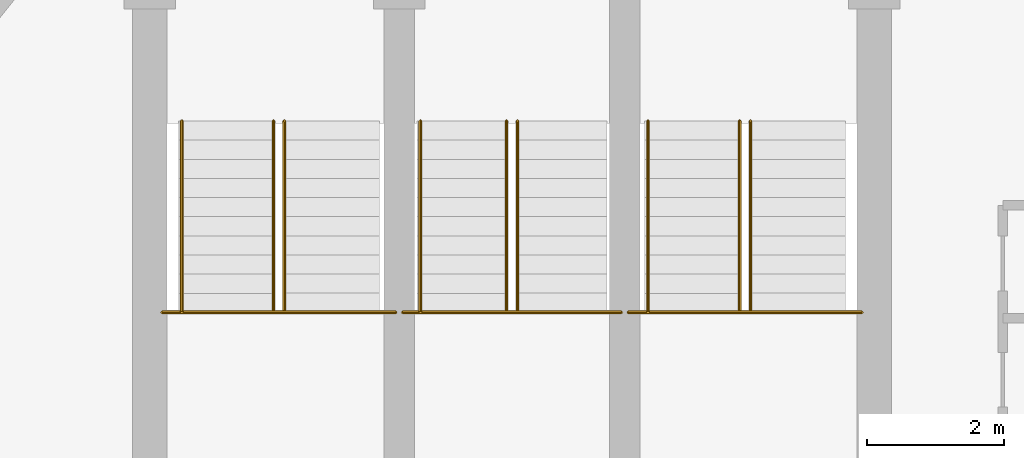
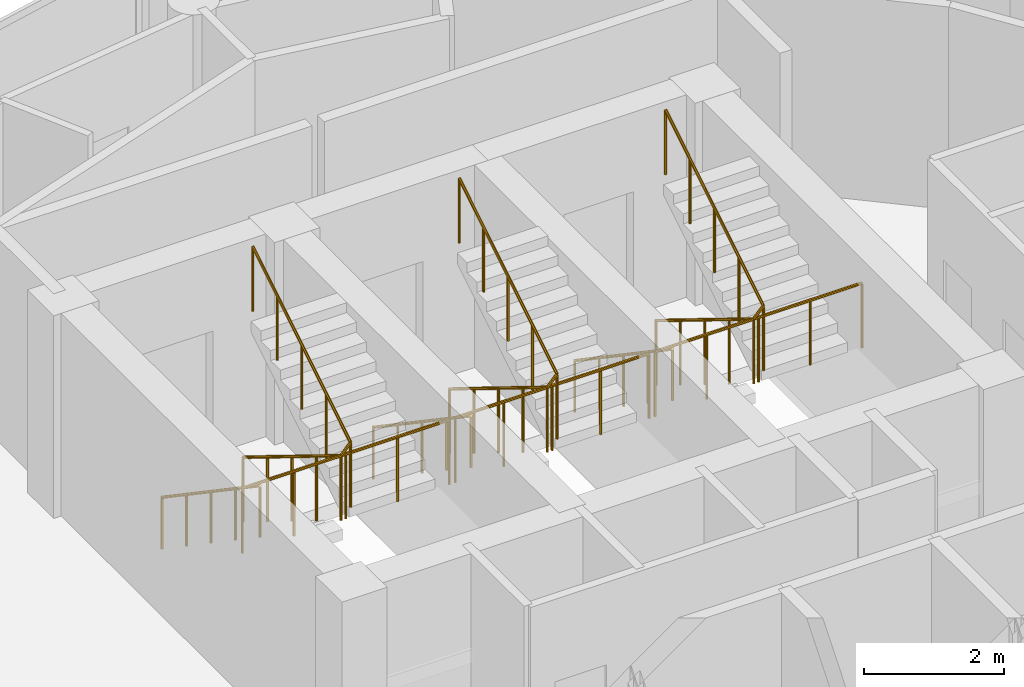
# One storey, part 24 of 24: 9 railings.
"""IFC4 building model written with IfcOpenShell, lengths in metres."""

import ifcopenshell
import ifcopenshell.guid

model = None  # the IFC model being written
_history = None  # IfcOwnerHistory: only IFC2X3 demands one
_inside = {}  # id of a spatial element -> (the spatial element, [elements in it])
_under = {}  # id of a project, library or spatial element -> (it, [spatial elements below it])
_declared = {}  # id of a project -> (the project, [libraries it declares])
_typed = {}  # id of a type object -> (the type object, [elements of that type])
_made_of = {}  # id of a material, layer set ... -> (it, [elements and type objects made of it])


def new_model(schema):
    """Start an empty IFC model of exactly this schema.

    Asked for "IFC4X3", IfcOpenShell would pick the latest addendum, in which some entities
    have other attributes; the version numbers below select the first issue.
    IFC2X3 requires an IfcOwnerHistory on every rooted entity: one is made here for all.
    """
    global model, _history
    if schema == "IFC4X3":
        model = ifcopenshell.file(schema_version=(4, 3, 0, 0))
    else:
        model = ifcopenshell.file(schema=schema)
    _inside.clear()
    _under.clear()
    _declared.clear()
    _typed.clear()
    _made_of.clear()
    _history = None
    if model.schema == "IFC2X3":
        org = make("IfcOrganization", Name="unknown")
        user = make(
            "IfcPersonAndOrganization",
            ThePerson=make("IfcPerson", FamilyName="unknown"),
            TheOrganization=org,
        )
        app = make(
            "IfcApplication",
            ApplicationDeveloper=org,
            Version="unknown",
            ApplicationFullName="unknown",
            ApplicationIdentifier="unknown",
        )
        _history = make(
            "IfcOwnerHistory",
            OwningUser=user,
            OwningApplication=app,
            ChangeAction="ADDED",
            CreationDate=0,
        )
    return model


def make(cls, **values):
    """One entity of the class cls with the attributes given. An attribute that is None is left unset."""
    return model.create_entity(
        cls, **{name: value for name, value in values.items() if value is not None}
    )


def rooted(cls, **values):
    """An entity with a GlobalId (a new one), such as an element, a storey or a relation."""
    return make(cls, GlobalId=ifcopenshell.guid.new(), OwnerHistory=_history, **values)


def si_unit(unit_type, name, prefix=None):
    """IfcSIUnit, for example si_unit("LENGTHUNIT", "METRE", prefix="MILLI")."""
    return make("IfcSIUnit", UnitType=unit_type, Prefix=prefix, Name=name)


def assignment(units):
    """IfcUnitAssignment: the units of a project."""
    return None if units is None else make("IfcUnitAssignment", Units=units)


def point(xyz):
    """IfcCartesianPoint."""
    return None if xyz is None else make("IfcCartesianPoint", Coordinates=xyz)


def direction(xyz):
    """IfcDirection."""
    return None if xyz is None else make("IfcDirection", DirectionRatios=xyz)


def frame(location, z_axis=None, x_axis=None):
    """IfcAxis2Placement3D, a coordinate frame: its origin and axes. An axis left out is left unset."""
    return make(
        "IfcAxis2Placement3D",
        Location=point(location),
        Axis=direction(z_axis),
        RefDirection=direction(x_axis),
    )


def origin():
    """The frame at (0, 0, 0) with its axes left unset."""
    return frame((0.0, 0.0, 0.0))


def place(relative_to, where):
    """IfcLocalPlacement: puts the frame where relative to a parent placement (None: the world)."""
    return make(
        "IfcLocalPlacement", PlacementRelTo=relative_to, RelativePlacement=where
    )


def context(
    kind, dimensions, precision=None, world=None, true_north=None, identifier=None
):
    """IfcGeometricRepresentationContext, for example the 3D "Model" context."""
    return make(
        "IfcGeometricRepresentationContext",
        ContextIdentifier=identifier,
        ContextType=kind,
        CoordinateSpaceDimension=dimensions,
        Precision=precision,
        WorldCoordinateSystem=world,
        TrueNorth=true_north,
    )


def subcontext(parent, identifier, kind, view, scale=None):
    """IfcGeometricRepresentationSubContext, for example "Body" below "Model"."""
    return make(
        "IfcGeometricRepresentationSubContext",
        ContextIdentifier=identifier,
        ContextType=kind,
        ParentContext=parent,
        TargetScale=scale,
        TargetView=view,
    )


def project(units=None, contexts=None):
    """IfcProject with its units and contexts."""
    return rooted(
        "IfcProject",
        Name="project",
        RepresentationContexts=contexts,
        UnitsInContext=assignment(units),
    )


def spatial(cls, under=None, at=None, **own):
    """A site, building, storey or space (cls), placed at a placement, below another one or the project."""
    s = rooted(cls, ObjectPlacement=at, **own)
    if under is not None:
        _under.setdefault(under.id(), (under, []))[1].append(s)
    return s


def polyline(points):
    """IfcPolyline through the points."""
    return make("IfcPolyline", Points=[point(p) for p in points])


def outline(outer, holes=None, kind="AREA"):
    """IfcArbitraryClosedProfileDef: a profile drawn as a closed curve; with holes, ...WithVoids."""
    if holes is None:
        return make("IfcArbitraryClosedProfileDef", ProfileType=kind, OuterCurve=outer)
    return make(
        "IfcArbitraryProfileDefWithVoids",
        ProfileType=kind,
        OuterCurve=outer,
        InnerCurves=holes,
    )


def extrude(swept, where, along, depth):
    """IfcExtrudedAreaSolid: the profile swept, set in the frame where, extruded along a direction by depth."""
    return make(
        "IfcExtrudedAreaSolid",
        SweptArea=swept,
        Position=where,
        ExtrudedDirection=direction(along),
        Depth=depth,
    )


def shape(context_of_items, identifier, shape_type, items):
    """IfcShapeRepresentation: the items that make up one representation, for example the "Body"."""
    return make(
        "IfcShapeRepresentation",
        ContextOfItems=context_of_items,
        RepresentationIdentifier=identifier,
        RepresentationType=shape_type,
        Items=items,
    )


def material(Name=None, Category=None):
    """IfcMaterial."""
    return make("IfcMaterial", Name=Name, Category=Category)


def made_of(thing, what):
    """Note that an element or type object is made of a material, layer set ...; save() writes the relation."""
    if what is not None:
        _made_of.setdefault(what.id(), (what, []))[1].append(thing)
    return thing


def type_object(cls, material=None, **own):
    """A type object (cls), such as IfcWallType, which elements share."""
    return made_of(rooted(cls, **own), material)


def element(
    cls,
    number,
    at=None,
    inside=None,
    cuts=None,
    type_object=None,
    material=None,
    context=None,
    identifier="Body",
    shape_type=None,
    held_by="IfcProductDefinitionShape",
    body=None,
    shapes=None,
    **own,
):
    """One element of the class cls, such as IfcWall. Its Tag is "e" and its number.

    at: its placement. inside: the storey or other place that contains it. cuts: it is an
    opening in that element (IfcRelVoidsElement). A single representation is given by context,
    identifier, shape_type and body (its items); several are given by shapes. held_by: the class
    of the entity that holds the representations. save() writes the other relations.
    """
    e = rooted(cls, Tag="e%d" % number, ObjectPlacement=at, **own)
    if body is not None:
        shapes = [shape(context, identifier, shape_type, body)]
    if shapes is not None:
        e.Representation = make(held_by, Representations=shapes)
    if inside is not None:
        _inside.setdefault(inside.id(), (inside, []))[1].append(e)
    if cuts is not None:
        rooted(
            "IfcRelVoidsElement", RelatingBuildingElement=cuts, RelatedOpeningElement=e
        )
    if type_object is not None:
        _typed.setdefault(type_object.id(), (type_object, []))[1].append(e)
    return made_of(e, material)


def aggregate(whole, parts):
    """IfcRelAggregates: a whole, such as a stair, and the parts it consists of."""
    return rooted("IfcRelAggregates", RelatingObject=whole, RelatedObjects=parts)


def save(model, path):
    """Write the relations noted so far, then the file.

    IfcRelAggregates (storeys below a building ...), IfcRelContainedInSpatialStructure (elements
    in a storey), IfcRelDefinesByType, IfcRelAssociatesMaterial and IfcRelDeclares: one each for
    every whole, place, type object, material and project.
    """
    for whole, parts in _under.values():
        aggregate(whole, parts)
    for where, things in _inside.values():
        rooted(
            "IfcRelContainedInSpatialStructure",
            RelatedElements=things,
            RelatingStructure=where,
        )
    for kind, things in _typed.values():
        rooted("IfcRelDefinesByType", RelatedObjects=things, RelatingType=kind)
    for what, things in _made_of.values():
        rooted("IfcRelAssociatesMaterial", RelatedObjects=things, RelatingMaterial=what)
    for by, libraries in _declared.values():
        rooted("IfcRelDeclares", RelatingContext=by, RelatedDefinitions=libraries)
    model.write(path)


model = new_model("IFC4")

# Units and contexts
model_context = context("Model", 3, precision=1e-05, world=origin(), true_north=direction((0.0, 1.0)))
body_context = subcontext(model_context, "Body", "Model", "MODEL_VIEW")
ifc_project = project(units=[si_unit("LENGTHUNIT", "METRE"), si_unit("AREAUNIT", "SQUARE_METRE"), si_unit("VOLUMEUNIT", "CUBIC_METRE"), si_unit("PLANEANGLEUNIT", "RADIAN"), si_unit("MASSUNIT", "GRAM", prefix="KILO")], contexts=[model_context])

# Site, building, storey
site_placement = place(None, origin())
site = spatial("IfcSite", under=ifc_project, at=site_placement, CompositionType="ELEMENT")
building_placement = place(site_placement, origin())
building = spatial("IfcBuilding", under=site, at=building_placement, Name="Nuhasar Tower", CompositionType="ELEMENT")
storey_placement = place(building_placement, frame((0.0, 0.0, 293.60009765625)))
storey = spatial("IfcBuildingStorey", under=building, at=storey_placement, Name="L73", CompositionType="ELEMENT", Elevation=293.60009765625)

# Railings
ifc_material_1 = material(Name="Steel S355", Category="steel")
railing_type_1 = type_object("IfcRailingType", Name="RLG-STAIR-GUARD-1150", PredefinedType="GUARDRAIL", material=ifc_material_1)
railing_1_placement = place(storey_placement, frame((33.8798828125, 32.485107421875, 1.89990234375)))
element("IfcRailing", 1, at=railing_1_placement, inside=storey, type_object=railing_type_1, Name="L73 Stair ST-01 Guardrail LND", PredefinedType="GUARDRAIL", context=body_context, shape_type="SweptSolid", body=[
    extrude(outline(polyline([(0.024169921875, 0.0), (0.01708984375, 0.01708984375), (0.0, 0.024169921875), (-0.01708984375, 0.01708984375), (-0.024169921875, 0.0), (-0.01708984375, -0.01708984375), (0.0, -0.024169921875), (0.01708984375, -0.01708984375), (0.024169921875, 0.0)])), frame((0.0, 0.0, 1.1259765625), z_axis=(1.0, 0.0, 0.0), x_axis=(0.0, 1.0, 0.0)), (0.0, 0.0, 1.0), 3.420166015625),
    extrude(outline(polyline([(0.02099609375, 0.0), (0.014892578125, 0.014892578125), (0.0, 0.02099609375), (-0.014892578125, 0.014892578125), (-0.02099609375, 0.0), (-0.014892578125, -0.014892578125), (0.0, -0.02099609375), (0.014892578125, -0.014892578125), (0.02099609375, 0.0)])), origin(), (0.0, 0.0, 1.0), 1.101806640625),
    extrude(outline(polyline([(0.02099609375, 0.0), (0.014892578125, 0.014892578125), (0.0, 0.02099609375), (-0.014892578125, 0.014892578125), (-0.02099609375, 0.0), (-0.014892578125, -0.014892578125), (0.0, -0.02099609375), (0.014892578125, -0.014892578125), (0.02099609375, 0.0)])), frame((0.85498046875, 0.0, 0.0)), (0.0, 0.0, 1.0), 1.101806640625),
    extrude(outline(polyline([(0.02099609375, 0.0), (0.014892578125, 0.014892578125), (0.0, 0.02099609375), (-0.014892578125, 0.014892578125), (-0.02099609375, 0.0), (-0.014892578125, -0.014892578125), (0.0, -0.02099609375), (0.014892578125, -0.014892578125), (0.02099609375, 0.0)])), frame((1.7099609375, 0.0, 0.0)), (0.0, 0.0, 1.0), 1.101806640625),
    extrude(outline(polyline([(0.02099609375, 0.0), (0.014892578125, 0.014892578125), (0.0, 0.02099609375), (-0.014892578125, 0.014892578125), (-0.02099609375, 0.0), (-0.014892578125, -0.014892578125), (0.0, -0.02099609375), (0.014892578125, -0.014892578125), (0.02099609375, 0.0)])), frame((2.565185546875, 0.0, 0.0)), (0.0, 0.0, 1.0), 1.101806640625),
    extrude(outline(polyline([(0.02099609375, 0.0), (0.014892578125, 0.014892578125), (0.0, 0.02099609375), (-0.014892578125, 0.014892578125), (-0.02099609375, 0.0), (-0.014892578125, -0.014892578125), (0.0, -0.02099609375), (0.014892578125, -0.014892578125), (0.02099609375, 0.0)])), frame((3.420166015625, 0.0, 0.0)), (0.0, 0.0, 1.0), 1.101806640625),
])
railing_2_placement = place(storey_placement, frame((35.510009765625, 35.284912109375, 0.1728515625)))
element("IfcRailing", 2, at=railing_2_placement, inside=storey, type_object=railing_type_1, Name="L73 Stair ST-01 Guardrail SLT", PredefinedType="GUARDRAIL", context=body_context, shape_type="SweptSolid", body=[
    extrude(outline(polyline([(0.024169921875, 0.0), (0.01708984375, 0.01708984375), (0.0, 0.024169921875), (-0.01708984375, 0.01708984375), (-0.024169921875, 0.0), (-0.01708984375, -0.01708984375), (0.0, -0.024169921875), (0.01708984375, -0.01708984375), (0.024169921875, 0.0)])), frame((0.0, 0.0, 1.1259765625), z_axis=(0.0, -0.851102337555, 0.524999820009), x_axis=(1.0, 0.0, 0.0)), (0.0, 0.0, 1.0), 3.28955078125),
    extrude(outline(polyline([(0.024169921875, 0.0), (0.01708984375, 0.01708984375), (0.0, 0.024169921875), (-0.01708984375, 0.01708984375), (-0.024169921875, 0.0), (-0.01708984375, -0.01708984375), (0.0, -0.024169921875), (0.01708984375, -0.01708984375), (0.024169921875, 0.0)])), frame((0.0, -2.7998046875, 2.85302734375), z_axis=(0.678581247581, 0.0, 0.734525350435), x_axis=(0.0, 1.0, 0.0)), (0.0, 0.0, 1.0), 0.235595703125),
    extrude(outline(polyline([(0.024169921875, 0.0), (0.01708984375, 0.01708984375), (0.0, 0.024169921875), (-0.01708984375, 0.01708984375), (-0.024169921875, 0.0), (-0.01708984375, -0.01708984375), (0.0, -0.024169921875), (0.01708984375, -0.01708984375), (0.024169921875, 0.0)])), frame((0.159912109375, -2.7998046875, 3.02587890625), z_axis=(0.0, 0.851135498715, 0.524946057064), x_axis=(-1.0, 0.0, 0.0)), (0.0, 0.0, 1.0), 3.28955078125),
    extrude(outline(polyline([(0.02099609375, 0.0), (0.014892578125, 0.014892578125), (0.0, 0.02099609375), (-0.014892578125, 0.014892578125), (-0.02099609375, 0.0), (-0.014892578125, -0.014892578125), (0.0, -0.02099609375), (0.014892578125, -0.014892578125), (0.02099609375, 0.0)])), origin(), (0.0, 0.0, 1.0), 1.101806640625),
    extrude(outline(polyline([(0.02099609375, 0.0), (0.014892578125, 0.014892578125), (0.0, 0.02099609375), (-0.014892578125, 0.014892578125), (-0.02099609375, 0.0), (-0.014892578125, -0.014892578125), (0.0, -0.02099609375), (0.014892578125, -0.014892578125), (0.02099609375, 0.0)])), frame((0.0, -0.699951171875, 0.431640625)), (0.0, 0.0, 1.0), 1.101806640625),
    extrude(outline(polyline([(0.02099609375, 0.0), (0.014892578125, 0.014892578125), (0.0, 0.02099609375), (-0.014892578125, 0.014892578125), (-0.02099609375, 0.0), (-0.014892578125, -0.014892578125), (0.0, -0.02099609375), (0.014892578125, -0.014892578125), (0.02099609375, 0.0)])), frame((0.0, -1.39990234375, 0.863525390625)), (0.0, 0.0, 1.0), 1.101806640625),
    extrude(outline(polyline([(0.02099609375, 0.0), (0.014892578125, 0.014892578125), (0.0, 0.02099609375), (-0.014892578125, 0.014892578125), (-0.02099609375, 0.0), (-0.014892578125, -0.014892578125), (0.0, -0.02099609375), (0.014892578125, -0.014892578125), (0.02099609375, 0.0)])), frame((0.0, -2.099853515625, 1.29541015625)), (0.0, 0.0, 1.0), 1.101806640625),
    extrude(outline(polyline([(0.02099609375, 0.0), (0.014892578125, 0.014892578125), (0.0, 0.02099609375), (-0.014892578125, 0.014892578125), (-0.02099609375, 0.0), (-0.014892578125, -0.014892578125), (0.0, -0.02099609375), (0.014892578125, -0.014892578125), (0.02099609375, 0.0)])), frame((0.0, -2.7998046875, 1.72705078125)), (0.0, 0.0, 1.0), 1.101806640625),
    extrude(outline(polyline([(0.02099609375, 0.0), (0.014892578125, 0.014892578125), (0.0, 0.02099609375), (-0.014892578125, 0.014892578125), (-0.02099609375, 0.0), (-0.014892578125, -0.014892578125), (0.0, -0.02099609375), (0.014892578125, -0.014892578125), (0.02099609375, 0.0)])), frame((0.159912109375, -2.7998046875, 1.900146484375)), (0.0, 0.0, 1.0), 1.101806640625),
    extrude(outline(polyline([(0.02099609375, 0.0), (0.014892578125, 0.014892578125), (0.0, 0.02099609375), (-0.014892578125, 0.014892578125), (-0.02099609375, 0.0), (-0.014892578125, -0.014892578125), (0.0, -0.02099609375), (0.014892578125, -0.014892578125), (0.02099609375, 0.0)])), frame((0.159912109375, -2.099853515625, 2.331787109375)), (0.0, 0.0, 1.0), 1.101806640625),
    extrude(outline(polyline([(0.02099609375, 0.0), (0.014892578125, 0.014892578125), (0.0, 0.02099609375), (-0.014892578125, 0.014892578125), (-0.02099609375, 0.0), (-0.014892578125, -0.014892578125), (0.0, -0.02099609375), (0.014892578125, -0.014892578125), (0.02099609375, 0.0)])), frame((0.159912109375, -1.39990234375, 2.763671875)), (0.0, 0.0, 1.0), 1.101806640625),
    extrude(outline(polyline([(0.02099609375, 0.0), (0.014892578125, 0.014892578125), (0.0, 0.02099609375), (-0.014892578125, 0.014892578125), (-0.02099609375, 0.0), (-0.014892578125, -0.014892578125), (0.0, -0.02099609375), (0.014892578125, -0.014892578125), (0.02099609375, 0.0)])), frame((0.159912109375, -0.699951171875, 3.1953125)), (0.0, 0.0, 1.0), 1.101806640625),
    extrude(outline(polyline([(0.02099609375, 0.0), (0.014892578125, 0.014892578125), (0.0, 0.02099609375), (-0.014892578125, 0.014892578125), (-0.02099609375, 0.0), (-0.014892578125, -0.014892578125), (0.0, -0.02099609375), (0.014892578125, -0.014892578125), (0.02099609375, 0.0)])), frame((0.159912109375, 0.0, 3.626953125)), (0.0, 0.0, 1.0), 1.101806640625),
])
railing_3_placement = place(storey_placement, frame((37.39990234375, 32.485107421875, 1.89990234375)))
element("IfcRailing", 3, at=railing_3_placement, inside=storey, type_object=railing_type_1, Name="L73 Stair ST-03 Guardrail LND", PredefinedType="GUARDRAIL", context=body_context, shape_type="SweptSolid", body=[
    extrude(outline(polyline([(0.024169921875, 0.0), (0.01708984375, 0.01708984375), (0.0, 0.024169921875), (-0.01708984375, 0.01708984375), (-0.024169921875, 0.0), (-0.01708984375, -0.01708984375), (0.0, -0.024169921875), (0.01708984375, -0.01708984375), (0.024169921875, 0.0)])), frame((0.0, 0.0, 1.1259765625), z_axis=(1.0, 0.0, 0.0), x_axis=(0.0, 1.0, 0.0)), (0.0, 0.0, 1.0), 3.2001953125),
    extrude(outline(polyline([(0.02099609375, 0.0), (0.014892578125, 0.014892578125), (0.0, 0.02099609375), (-0.014892578125, 0.014892578125), (-0.02099609375, 0.0), (-0.014892578125, -0.014892578125), (0.0, -0.02099609375), (0.014892578125, -0.014892578125), (0.02099609375, 0.0)])), origin(), (0.0, 0.0, 1.0), 1.101806640625),
    extrude(outline(polyline([(0.02099609375, 0.0), (0.014892578125, 0.014892578125), (0.0, 0.02099609375), (-0.014892578125, 0.014892578125), (-0.02099609375, 0.0), (-0.014892578125, -0.014892578125), (0.0, -0.02099609375), (0.014892578125, -0.014892578125), (0.02099609375, 0.0)])), frame((0.800048828125, 0.0, 0.0)), (0.0, 0.0, 1.0), 1.101806640625),
    extrude(outline(polyline([(0.02099609375, 0.0), (0.014892578125, 0.014892578125), (0.0, 0.02099609375), (-0.014892578125, 0.014892578125), (-0.02099609375, 0.0), (-0.014892578125, -0.014892578125), (0.0, -0.02099609375), (0.014892578125, -0.014892578125), (0.02099609375, 0.0)])), frame((1.60009765625, 0.0, 0.0)), (0.0, 0.0, 1.0), 1.101806640625),
    extrude(outline(polyline([(0.02099609375, 0.0), (0.014892578125, 0.014892578125), (0.0, 0.02099609375), (-0.014892578125, 0.014892578125), (-0.02099609375, 0.0), (-0.014892578125, -0.014892578125), (0.0, -0.02099609375), (0.014892578125, -0.014892578125), (0.02099609375, 0.0)])), frame((2.400146484375, 0.0, 0.0)), (0.0, 0.0, 1.0), 1.101806640625),
    extrude(outline(polyline([(0.02099609375, 0.0), (0.014892578125, 0.014892578125), (0.0, 0.02099609375), (-0.014892578125, 0.014892578125), (-0.02099609375, 0.0), (-0.014892578125, -0.014892578125), (0.0, -0.02099609375), (0.014892578125, -0.014892578125), (0.02099609375, 0.0)])), frame((3.2001953125, 0.0, 0.0)), (0.0, 0.0, 1.0), 1.101806640625),
])
railing_4_placement = place(storey_placement, frame((38.919921875, 35.284912109375, 0.1728515625)))
element("IfcRailing", 4, at=railing_4_placement, inside=storey, type_object=railing_type_1, Name="L73 Stair ST-03 Guardrail SLT", PredefinedType="GUARDRAIL", context=body_context, shape_type="SweptSolid", body=[
    extrude(outline(polyline([(0.024169921875, 0.0), (0.01708984375, 0.01708984375), (0.0, 0.024169921875), (-0.01708984375, 0.01708984375), (-0.024169921875, 0.0), (-0.01708984375, -0.01708984375), (0.0, -0.024169921875), (0.01708984375, -0.01708984375), (0.024169921875, 0.0)])), frame((0.0, 0.0, 1.1259765625), z_axis=(0.0, -0.851102337555, 0.524999820009), x_axis=(1.0, 0.0, 0.0)), (0.0, 0.0, 1.0), 3.28955078125),
    extrude(outline(polyline([(0.024169921875, 0.0), (0.01708984375, 0.01708984375), (0.0, 0.024169921875), (-0.01708984375, 0.01708984375), (-0.024169921875, 0.0), (-0.01708984375, -0.01708984375), (0.0, -0.024169921875), (0.01708984375, -0.01708984375), (0.024169921875, 0.0)])), frame((0.0, -2.7998046875, 2.85302734375), z_axis=(0.679139610055, 0.0, 0.734009121234), x_axis=(0.0, 1.0, 0.0)), (0.0, 0.0, 1.0), 0.23583984375),
    extrude(outline(polyline([(0.024169921875, 0.0), (0.01708984375, 0.01708984375), (0.0, 0.024169921875), (-0.01708984375, 0.01708984375), (-0.024169921875, 0.0), (-0.01708984375, -0.01708984375), (0.0, -0.024169921875), (0.01708984375, -0.01708984375), (0.024169921875, 0.0)])), frame((0.16015625, -2.7998046875, 3.02587890625), z_axis=(0.0, 0.851135498715, 0.524946057064), x_axis=(-1.0, 0.0, 0.0)), (0.0, 0.0, 1.0), 3.28955078125),
    extrude(outline(polyline([(0.02099609375, 0.0), (0.014892578125, 0.014892578125), (0.0, 0.02099609375), (-0.014892578125, 0.014892578125), (-0.02099609375, 0.0), (-0.014892578125, -0.014892578125), (0.0, -0.02099609375), (0.014892578125, -0.014892578125), (0.02099609375, 0.0)])), origin(), (0.0, 0.0, 1.0), 1.101806640625),
    extrude(outline(polyline([(0.02099609375, 0.0), (0.014892578125, 0.014892578125), (0.0, 0.02099609375), (-0.014892578125, 0.014892578125), (-0.02099609375, 0.0), (-0.014892578125, -0.014892578125), (0.0, -0.02099609375), (0.014892578125, -0.014892578125), (0.02099609375, 0.0)])), frame((0.0, -0.699951171875, 0.431640625)), (0.0, 0.0, 1.0), 1.101806640625),
    extrude(outline(polyline([(0.02099609375, 0.0), (0.014892578125, 0.014892578125), (0.0, 0.02099609375), (-0.014892578125, 0.014892578125), (-0.02099609375, 0.0), (-0.014892578125, -0.014892578125), (0.0, -0.02099609375), (0.014892578125, -0.014892578125), (0.02099609375, 0.0)])), frame((0.0, -1.39990234375, 0.863525390625)), (0.0, 0.0, 1.0), 1.101806640625),
    extrude(outline(polyline([(0.02099609375, 0.0), (0.014892578125, 0.014892578125), (0.0, 0.02099609375), (-0.014892578125, 0.014892578125), (-0.02099609375, 0.0), (-0.014892578125, -0.014892578125), (0.0, -0.02099609375), (0.014892578125, -0.014892578125), (0.02099609375, 0.0)])), frame((0.0, -2.099853515625, 1.29541015625)), (0.0, 0.0, 1.0), 1.101806640625),
    extrude(outline(polyline([(0.02099609375, 0.0), (0.014892578125, 0.014892578125), (0.0, 0.02099609375), (-0.014892578125, 0.014892578125), (-0.02099609375, 0.0), (-0.014892578125, -0.014892578125), (0.0, -0.02099609375), (0.014892578125, -0.014892578125), (0.02099609375, 0.0)])), frame((0.0, -2.7998046875, 1.72705078125)), (0.0, 0.0, 1.0), 1.101806640625),
    extrude(outline(polyline([(0.02099609375, 0.0), (0.014892578125, 0.014892578125), (0.0, 0.02099609375), (-0.014892578125, 0.014892578125), (-0.02099609375, 0.0), (-0.014892578125, -0.014892578125), (0.0, -0.02099609375), (0.014892578125, -0.014892578125), (0.02099609375, 0.0)])), frame((0.16015625, -2.7998046875, 1.900146484375)), (0.0, 0.0, 1.0), 1.101806640625),
    extrude(outline(polyline([(0.02099609375, 0.0), (0.014892578125, 0.014892578125), (0.0, 0.02099609375), (-0.014892578125, 0.014892578125), (-0.02099609375, 0.0), (-0.014892578125, -0.014892578125), (0.0, -0.02099609375), (0.014892578125, -0.014892578125), (0.02099609375, 0.0)])), frame((0.16015625, -2.099853515625, 2.331787109375)), (0.0, 0.0, 1.0), 1.101806640625),
    extrude(outline(polyline([(0.02099609375, 0.0), (0.014892578125, 0.014892578125), (0.0, 0.02099609375), (-0.014892578125, 0.014892578125), (-0.02099609375, 0.0), (-0.014892578125, -0.014892578125), (0.0, -0.02099609375), (0.014892578125, -0.014892578125), (0.02099609375, 0.0)])), frame((0.16015625, -1.39990234375, 2.763671875)), (0.0, 0.0, 1.0), 1.101806640625),
    extrude(outline(polyline([(0.02099609375, 0.0), (0.014892578125, 0.014892578125), (0.0, 0.02099609375), (-0.014892578125, 0.014892578125), (-0.02099609375, 0.0), (-0.014892578125, -0.014892578125), (0.0, -0.02099609375), (0.014892578125, -0.014892578125), (0.02099609375, 0.0)])), frame((0.16015625, -0.699951171875, 3.1953125)), (0.0, 0.0, 1.0), 1.101806640625),
    extrude(outline(polyline([(0.02099609375, 0.0), (0.014892578125, 0.014892578125), (0.0, 0.02099609375), (-0.014892578125, 0.014892578125), (-0.02099609375, 0.0), (-0.014892578125, -0.014892578125), (0.0, -0.02099609375), (0.014892578125, -0.014892578125), (0.02099609375, 0.0)])), frame((0.16015625, 0.0, 3.626953125)), (0.0, 0.0, 1.0), 1.101806640625),
])
railing_5_placement = place(storey_placement, frame((40.699951171875, 32.485107421875, 1.89990234375)))
element("IfcRailing", 5, at=railing_5_placement, inside=storey, type_object=railing_type_1, Name="L73 Stair ST-02 Guardrail LND", PredefinedType="GUARDRAIL", context=body_context, shape_type="SweptSolid", body=[
    extrude(outline(polyline([(0.024169921875, 0.0), (0.01708984375, 0.01708984375), (0.0, 0.024169921875), (-0.01708984375, 0.01708984375), (-0.024169921875, 0.0), (-0.01708984375, -0.01708984375), (0.0, -0.024169921875), (0.01708984375, -0.01708984375), (0.024169921875, 0.0)])), frame((0.0, 0.0, 1.1259765625), z_axis=(1.0, 0.0, 0.0), x_axis=(0.0, 1.0, 0.0)), (0.0, 0.0, 1.0), 3.420166015625),
    extrude(outline(polyline([(0.02099609375, 0.0), (0.014892578125, 0.014892578125), (0.0, 0.02099609375), (-0.014892578125, 0.014892578125), (-0.02099609375, 0.0), (-0.014892578125, -0.014892578125), (0.0, -0.02099609375), (0.014892578125, -0.014892578125), (0.02099609375, 0.0)])), origin(), (0.0, 0.0, 1.0), 1.101806640625),
    extrude(outline(polyline([(0.02099609375, 0.0), (0.014892578125, 0.014892578125), (0.0, 0.02099609375), (-0.014892578125, 0.014892578125), (-0.02099609375, 0.0), (-0.014892578125, -0.014892578125), (0.0, -0.02099609375), (0.014892578125, -0.014892578125), (0.02099609375, 0.0)])), frame((0.85498046875, 0.0, 0.0)), (0.0, 0.0, 1.0), 1.101806640625),
    extrude(outline(polyline([(0.02099609375, 0.0), (0.014892578125, 0.014892578125), (0.0, 0.02099609375), (-0.014892578125, 0.014892578125), (-0.02099609375, 0.0), (-0.014892578125, -0.014892578125), (0.0, -0.02099609375), (0.014892578125, -0.014892578125), (0.02099609375, 0.0)])), frame((1.7099609375, 0.0, 0.0)), (0.0, 0.0, 1.0), 1.101806640625),
    extrude(outline(polyline([(0.02099609375, 0.0), (0.014892578125, 0.014892578125), (0.0, 0.02099609375), (-0.014892578125, 0.014892578125), (-0.02099609375, 0.0), (-0.014892578125, -0.014892578125), (0.0, -0.02099609375), (0.014892578125, -0.014892578125), (0.02099609375, 0.0)])), frame((2.565185546875, 0.0, 0.0)), (0.0, 0.0, 1.0), 1.101806640625),
    extrude(outline(polyline([(0.02099609375, 0.0), (0.014892578125, 0.014892578125), (0.0, 0.02099609375), (-0.014892578125, 0.014892578125), (-0.02099609375, 0.0), (-0.014892578125, -0.014892578125), (0.0, -0.02099609375), (0.014892578125, -0.014892578125), (0.02099609375, 0.0)])), frame((3.420166015625, 0.0, 0.0)), (0.0, 0.0, 1.0), 1.101806640625),
])
railing_6_placement = place(storey_placement, frame((42.330078125, 35.284912109375, 0.1728515625)))
element("IfcRailing", 6, at=railing_6_placement, inside=storey, type_object=railing_type_1, Name="L73 Stair ST-02 Guardrail SLT", PredefinedType="GUARDRAIL", context=body_context, shape_type="SweptSolid", body=[
    extrude(outline(polyline([(0.024169921875, 0.0), (0.01708984375, 0.01708984375), (0.0, 0.024169921875), (-0.01708984375, 0.01708984375), (-0.024169921875, 0.0), (-0.01708984375, -0.01708984375), (0.0, -0.024169921875), (0.01708984375, -0.01708984375), (0.024169921875, 0.0)])), frame((0.0, 0.0, 1.1259765625), z_axis=(0.0, -0.851102337555, 0.524999820009), x_axis=(1.0, 0.0, 0.0)), (0.0, 0.0, 1.0), 3.28955078125),
    extrude(outline(polyline([(0.024169921875, 0.0), (0.01708984375, 0.01708984375), (0.0, 0.024169921875), (-0.01708984375, 0.01708984375), (-0.024169921875, 0.0), (-0.01708984375, -0.01708984375), (0.0, -0.024169921875), (0.01708984375, -0.01708984375), (0.024169921875, 0.0)])), frame((0.0, -2.7998046875, 2.85302734375), z_axis=(0.678581247581, 0.0, 0.734525350435), x_axis=(0.0, 1.0, 0.0)), (0.0, 0.0, 1.0), 0.235595703125),
    extrude(outline(polyline([(0.024169921875, 0.0), (0.01708984375, 0.01708984375), (0.0, 0.024169921875), (-0.01708984375, 0.01708984375), (-0.024169921875, 0.0), (-0.01708984375, -0.01708984375), (0.0, -0.024169921875), (0.01708984375, -0.01708984375), (0.024169921875, 0.0)])), frame((0.159912109375, -2.7998046875, 3.02587890625), z_axis=(0.0, 0.851135498715, 0.524946057064), x_axis=(-1.0, 0.0, 0.0)), (0.0, 0.0, 1.0), 3.28955078125),
    extrude(outline(polyline([(0.02099609375, 0.0), (0.014892578125, 0.014892578125), (0.0, 0.02099609375), (-0.014892578125, 0.014892578125), (-0.02099609375, 0.0), (-0.014892578125, -0.014892578125), (0.0, -0.02099609375), (0.014892578125, -0.014892578125), (0.02099609375, 0.0)])), origin(), (0.0, 0.0, 1.0), 1.101806640625),
    extrude(outline(polyline([(0.02099609375, 0.0), (0.014892578125, 0.014892578125), (0.0, 0.02099609375), (-0.014892578125, 0.014892578125), (-0.02099609375, 0.0), (-0.014892578125, -0.014892578125), (0.0, -0.02099609375), (0.014892578125, -0.014892578125), (0.02099609375, 0.0)])), frame((0.0, -0.699951171875, 0.431640625)), (0.0, 0.0, 1.0), 1.101806640625),
    extrude(outline(polyline([(0.02099609375, 0.0), (0.014892578125, 0.014892578125), (0.0, 0.02099609375), (-0.014892578125, 0.014892578125), (-0.02099609375, 0.0), (-0.014892578125, -0.014892578125), (0.0, -0.02099609375), (0.014892578125, -0.014892578125), (0.02099609375, 0.0)])), frame((0.0, -1.39990234375, 0.863525390625)), (0.0, 0.0, 1.0), 1.101806640625),
    extrude(outline(polyline([(0.02099609375, 0.0), (0.014892578125, 0.014892578125), (0.0, 0.02099609375), (-0.014892578125, 0.014892578125), (-0.02099609375, 0.0), (-0.014892578125, -0.014892578125), (0.0, -0.02099609375), (0.014892578125, -0.014892578125), (0.02099609375, 0.0)])), frame((0.0, -2.099853515625, 1.29541015625)), (0.0, 0.0, 1.0), 1.101806640625),
    extrude(outline(polyline([(0.02099609375, 0.0), (0.014892578125, 0.014892578125), (0.0, 0.02099609375), (-0.014892578125, 0.014892578125), (-0.02099609375, 0.0), (-0.014892578125, -0.014892578125), (0.0, -0.02099609375), (0.014892578125, -0.014892578125), (0.02099609375, 0.0)])), frame((0.0, -2.7998046875, 1.72705078125)), (0.0, 0.0, 1.0), 1.101806640625),
    extrude(outline(polyline([(0.02099609375, 0.0), (0.014892578125, 0.014892578125), (0.0, 0.02099609375), (-0.014892578125, 0.014892578125), (-0.02099609375, 0.0), (-0.014892578125, -0.014892578125), (0.0, -0.02099609375), (0.014892578125, -0.014892578125), (0.02099609375, 0.0)])), frame((0.159912109375, -2.7998046875, 1.900146484375)), (0.0, 0.0, 1.0), 1.101806640625),
    extrude(outline(polyline([(0.02099609375, 0.0), (0.014892578125, 0.014892578125), (0.0, 0.02099609375), (-0.014892578125, 0.014892578125), (-0.02099609375, 0.0), (-0.014892578125, -0.014892578125), (0.0, -0.02099609375), (0.014892578125, -0.014892578125), (0.02099609375, 0.0)])), frame((0.159912109375, -2.099853515625, 2.331787109375)), (0.0, 0.0, 1.0), 1.101806640625),
    extrude(outline(polyline([(0.02099609375, 0.0), (0.014892578125, 0.014892578125), (0.0, 0.02099609375), (-0.014892578125, 0.014892578125), (-0.02099609375, 0.0), (-0.014892578125, -0.014892578125), (0.0, -0.02099609375), (0.014892578125, -0.014892578125), (0.02099609375, 0.0)])), frame((0.159912109375, -1.39990234375, 2.763671875)), (0.0, 0.0, 1.0), 1.101806640625),
    extrude(outline(polyline([(0.02099609375, 0.0), (0.014892578125, 0.014892578125), (0.0, 0.02099609375), (-0.014892578125, 0.014892578125), (-0.02099609375, 0.0), (-0.014892578125, -0.014892578125), (0.0, -0.02099609375), (0.014892578125, -0.014892578125), (0.02099609375, 0.0)])), frame((0.159912109375, -0.699951171875, 3.1953125)), (0.0, 0.0, 1.0), 1.101806640625),
    extrude(outline(polyline([(0.02099609375, 0.0), (0.014892578125, 0.014892578125), (0.0, 0.02099609375), (-0.014892578125, 0.014892578125), (-0.02099609375, 0.0), (-0.014892578125, -0.014892578125), (0.0, -0.02099609375), (0.014892578125, -0.014892578125), (0.02099609375, 0.0)])), frame((0.159912109375, 0.0, 3.626953125)), (0.0, 0.0, 1.0), 1.101806640625),
])
ifc_material_2 = material(Name="Stainless Steel 316L", Category="steel")
railing_type_2 = type_object("IfcRailingType", Name="RLG-STAIR-HAND-920", PredefinedType="HANDRAIL", material=ifc_material_2)
railing_7_placement = place(storey_placement, frame((34.169921875, 35.284912109375, 0.1728515625)))
element("IfcRailing", 7, at=railing_7_placement, inside=storey, type_object=railing_type_2, Name="L73 Stair ST-01 Handrail HND1", PredefinedType="HANDRAIL", context=body_context, shape_type="SweptSolid", body=[
    extrude(outline(polyline([(0.024169921875, 0.0), (0.01708984375, 0.01708984375), (0.0, 0.024169921875), (-0.01708984375, 0.01708984375), (-0.024169921875, 0.0), (-0.01708984375, -0.01708984375), (0.0, -0.024169921875), (0.01708984375, -0.01708984375), (0.024169921875, 0.0)])), frame((0.0, 0.0, 0.89599609375), z_axis=(0.0, -0.827437459516, 0.561557878219), x_axis=(1.0, 0.0, 0.0)), (0.0, 0.0, 1.0), 3.3837890625),
    extrude(outline(polyline([(0.02099609375, 0.0), (0.014892578125, 0.014892578125), (0.0, 0.02099609375), (-0.014892578125, 0.014892578125), (-0.02099609375, 0.0), (-0.014892578125, -0.014892578125), (0.0, -0.02099609375), (0.014892578125, -0.014892578125), (0.02099609375, 0.0)])), origin(), (0.0, 0.0, 1.0), 0.871826171875),
    extrude(outline(polyline([(0.02099609375, 0.0), (0.014892578125, 0.014892578125), (0.0, 0.02099609375), (-0.014892578125, 0.014892578125), (-0.02099609375, 0.0), (-0.014892578125, -0.014892578125), (0.0, -0.02099609375), (0.014892578125, -0.014892578125), (0.02099609375, 0.0)])), frame((0.0, -0.699951171875, 0.47509765625)), (0.0, 0.0, 1.0), 0.871826171875),
    extrude(outline(polyline([(0.02099609375, 0.0), (0.014892578125, 0.014892578125), (0.0, 0.02099609375), (-0.014892578125, 0.014892578125), (-0.02099609375, 0.0), (-0.014892578125, -0.014892578125), (0.0, -0.02099609375), (0.014892578125, -0.014892578125), (0.02099609375, 0.0)])), frame((0.0, -1.39990234375, 0.9501953125)), (0.0, 0.0, 1.0), 0.871826171875),
    extrude(outline(polyline([(0.02099609375, 0.0), (0.014892578125, 0.014892578125), (0.0, 0.02099609375), (-0.014892578125, 0.014892578125), (-0.02099609375, 0.0), (-0.014892578125, -0.014892578125), (0.0, -0.02099609375), (0.014892578125, -0.014892578125), (0.02099609375, 0.0)])), frame((0.0, -2.099853515625, 1.425048828125)), (0.0, 0.0, 1.0), 0.871826171875),
    extrude(outline(polyline([(0.02099609375, 0.0), (0.014892578125, 0.014892578125), (0.0, 0.02099609375), (-0.014892578125, 0.014892578125), (-0.02099609375, 0.0), (-0.014892578125, -0.014892578125), (0.0, -0.02099609375), (0.014892578125, -0.014892578125), (0.02099609375, 0.0)])), frame((0.0, -2.7998046875, 1.900146484375)), (0.0, 0.0, 1.0), 0.871826171875),
])
railing_8_placement = place(storey_placement, frame((37.659912109375, 35.284912109375, 0.1728515625)))
element("IfcRailing", 8, at=railing_8_placement, inside=storey, type_object=railing_type_2, Name="L73 Stair ST-03 Handrail HND1", PredefinedType="HANDRAIL", context=body_context, shape_type="SweptSolid", body=[
    extrude(outline(polyline([(0.024169921875, 0.0), (0.01708984375, 0.01708984375), (0.0, 0.024169921875), (-0.01708984375, 0.01708984375), (-0.024169921875, 0.0), (-0.01708984375, -0.01708984375), (0.0, -0.024169921875), (0.01708984375, -0.01708984375), (0.024169921875, 0.0)])), frame((0.0, 0.0, 0.89599609375), z_axis=(0.0, -0.827437459516, 0.561557878219), x_axis=(1.0, 0.0, 0.0)), (0.0, 0.0, 1.0), 3.3837890625),
    extrude(outline(polyline([(0.02099609375, 0.0), (0.014892578125, 0.014892578125), (0.0, 0.02099609375), (-0.014892578125, 0.014892578125), (-0.02099609375, 0.0), (-0.014892578125, -0.014892578125), (0.0, -0.02099609375), (0.014892578125, -0.014892578125), (0.02099609375, 0.0)])), origin(), (0.0, 0.0, 1.0), 0.871826171875),
    extrude(outline(polyline([(0.02099609375, 0.0), (0.014892578125, 0.014892578125), (0.0, 0.02099609375), (-0.014892578125, 0.014892578125), (-0.02099609375, 0.0), (-0.014892578125, -0.014892578125), (0.0, -0.02099609375), (0.014892578125, -0.014892578125), (0.02099609375, 0.0)])), frame((0.0, -0.699951171875, 0.47509765625)), (0.0, 0.0, 1.0), 0.871826171875),
    extrude(outline(polyline([(0.02099609375, 0.0), (0.014892578125, 0.014892578125), (0.0, 0.02099609375), (-0.014892578125, 0.014892578125), (-0.02099609375, 0.0), (-0.014892578125, -0.014892578125), (0.0, -0.02099609375), (0.014892578125, -0.014892578125), (0.02099609375, 0.0)])), frame((0.0, -1.39990234375, 0.9501953125)), (0.0, 0.0, 1.0), 0.871826171875),
    extrude(outline(polyline([(0.02099609375, 0.0), (0.014892578125, 0.014892578125), (0.0, 0.02099609375), (-0.014892578125, 0.014892578125), (-0.02099609375, 0.0), (-0.014892578125, -0.014892578125), (0.0, -0.02099609375), (0.014892578125, -0.014892578125), (0.02099609375, 0.0)])), frame((0.0, -2.099853515625, 1.425048828125)), (0.0, 0.0, 1.0), 0.871826171875),
    extrude(outline(polyline([(0.02099609375, 0.0), (0.014892578125, 0.014892578125), (0.0, 0.02099609375), (-0.014892578125, 0.014892578125), (-0.02099609375, 0.0), (-0.014892578125, -0.014892578125), (0.0, -0.02099609375), (0.014892578125, -0.014892578125), (0.02099609375, 0.0)])), frame((0.0, -2.7998046875, 1.900146484375)), (0.0, 0.0, 1.0), 0.871826171875),
])
railing_9_placement = place(storey_placement, frame((40.989990234375, 35.284912109375, 0.1728515625)))
element("IfcRailing", 9, at=railing_9_placement, inside=storey, type_object=railing_type_2, Name="L73 Stair ST-02 Handrail HND1", PredefinedType="HANDRAIL", context=body_context, shape_type="SweptSolid", body=[
    extrude(outline(polyline([(0.024169921875, 0.0), (0.01708984375, 0.01708984375), (0.0, 0.024169921875), (-0.01708984375, 0.01708984375), (-0.024169921875, 0.0), (-0.01708984375, -0.01708984375), (0.0, -0.024169921875), (0.01708984375, -0.01708984375), (0.024169921875, 0.0)])), frame((0.0, 0.0, 0.89599609375), z_axis=(0.0, -0.827437459516, 0.561557878219), x_axis=(1.0, 0.0, 0.0)), (0.0, 0.0, 1.0), 3.3837890625),
    extrude(outline(polyline([(0.02099609375, 0.0), (0.014892578125, 0.014892578125), (0.0, 0.02099609375), (-0.014892578125, 0.014892578125), (-0.02099609375, 0.0), (-0.014892578125, -0.014892578125), (0.0, -0.02099609375), (0.014892578125, -0.014892578125), (0.02099609375, 0.0)])), origin(), (0.0, 0.0, 1.0), 0.871826171875),
    extrude(outline(polyline([(0.02099609375, 0.0), (0.014892578125, 0.014892578125), (0.0, 0.02099609375), (-0.014892578125, 0.014892578125), (-0.02099609375, 0.0), (-0.014892578125, -0.014892578125), (0.0, -0.02099609375), (0.014892578125, -0.014892578125), (0.02099609375, 0.0)])), frame((0.0, -0.699951171875, 0.47509765625)), (0.0, 0.0, 1.0), 0.871826171875),
    extrude(outline(polyline([(0.02099609375, 0.0), (0.014892578125, 0.014892578125), (0.0, 0.02099609375), (-0.014892578125, 0.014892578125), (-0.02099609375, 0.0), (-0.014892578125, -0.014892578125), (0.0, -0.02099609375), (0.014892578125, -0.014892578125), (0.02099609375, 0.0)])), frame((0.0, -1.39990234375, 0.9501953125)), (0.0, 0.0, 1.0), 0.871826171875),
    extrude(outline(polyline([(0.02099609375, 0.0), (0.014892578125, 0.014892578125), (0.0, 0.02099609375), (-0.014892578125, 0.014892578125), (-0.02099609375, 0.0), (-0.014892578125, -0.014892578125), (0.0, -0.02099609375), (0.014892578125, -0.014892578125), (0.02099609375, 0.0)])), frame((0.0, -2.099853515625, 1.425048828125)), (0.0, 0.0, 1.0), 0.871826171875),
    extrude(outline(polyline([(0.02099609375, 0.0), (0.014892578125, 0.014892578125), (0.0, 0.02099609375), (-0.014892578125, 0.014892578125), (-0.02099609375, 0.0), (-0.014892578125, -0.014892578125), (0.0, -0.02099609375), (0.014892578125, -0.014892578125), (0.02099609375, 0.0)])), frame((0.0, -2.7998046875, 1.900146484375)), (0.0, 0.0, 1.0), 0.871826171875),
])

save(model, "model.ifc")
